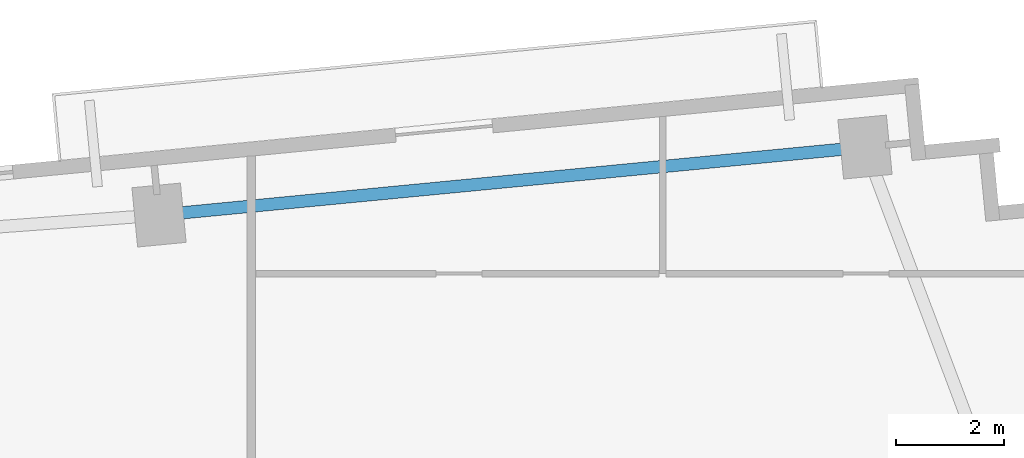
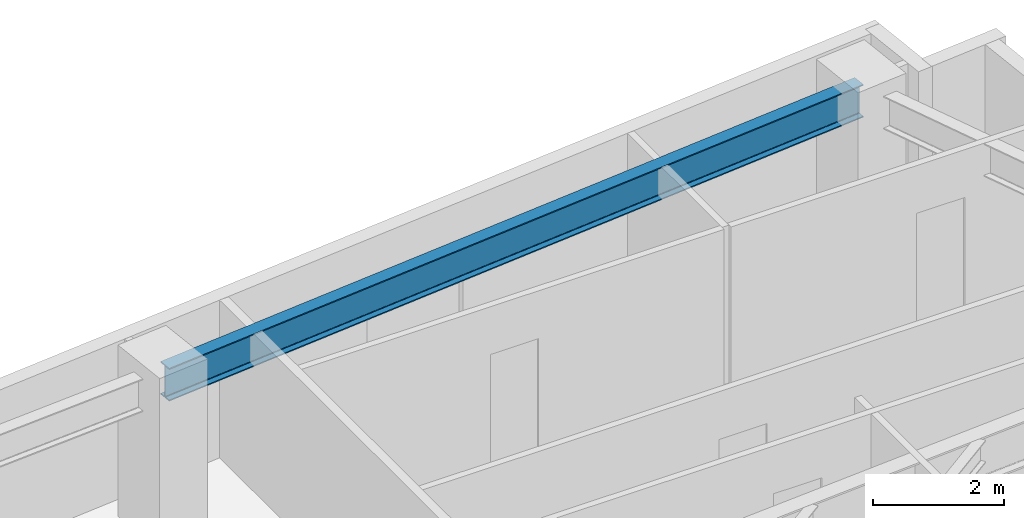
# One storey, part 18 of 27: 1 beam.
"""IFC4 building model written with IfcOpenShell, lengths in metres."""

from ifc_helpers import new_model, si_unit, direction, frame, origin, origin_2d, place, context, subcontext, project, spatial, i_section, extrude, source, transform, mapped, material, material_profile, profile_set, type_object, type_shapes, element, save


model = new_model("IFC4")

# Units and contexts
model_context = context("Model", 3, precision=1e-05, world=origin(), true_north=direction((0.0, 1.0)))
body_context = subcontext(model_context, "Body", "Model", "MODEL_VIEW")
ifc_project = project(units=[si_unit("LENGTHUNIT", "METRE"), si_unit("AREAUNIT", "SQUARE_METRE"), si_unit("VOLUMEUNIT", "CUBIC_METRE"), si_unit("PLANEANGLEUNIT", "RADIAN"), si_unit("MASSUNIT", "GRAM", prefix="KILO")], contexts=[model_context])

# Site, building, storey
site_placement = place(None, origin())
site = spatial("IfcSite", under=ifc_project, at=site_placement, CompositionType="ELEMENT")
building_placement = place(site_placement, origin())
building = spatial("IfcBuilding", under=site, at=building_placement, Name="Astriad Promenade Condominiums", CompositionType="ELEMENT")
storey_placement = place(building_placement, frame((0.0, 0.0, 90.60009765625)))
storey = spatial("IfcBuildingStorey", under=building, at=storey_placement, Name="L25", CompositionType="ELEMENT", Elevation=90.60009765625)

# Beam
ifc_material = material(Name="Steel ASTM A992 Grade 50", Category="steel")
ifc_material_profile = material_profile(ifc_material, i_section(OverallWidth=0.22900390625, OverallDepth=0.612060546875, WebThickness=0.011962890625, FlangeThickness=0.01953125, FilletRadius=0.017822265625, at=origin_2d()), Name="W24X84")
ifc_profile_set = profile_set([ifc_material_profile], Name="Steel ASTM A992 Grade 50")
beam_type = type_object("IfcBeamType", Name="STEEL SPANDREL BEAM W24X84", PredefinedType="SPANDREL", material=ifc_profile_set)
shared_shape = source(origin(), body_context, "Body", "SweptSolid", [
    extrude(i_section(OverallWidth=0.22900390625, OverallDepth=0.612060546875, WebThickness=0.011962890625, FlangeThickness=0.01953125, FilletRadius=0.017822265625, at=origin_2d()), origin(), (0.0, 0.0, 1.0), 13.020263671875),
])
type_shapes(beam_type, [shared_shape])
beam_placement = place(storey_placement, frame((64.394287109375, 27.5869140625, 2.6337890625), z_axis=(-0.995395311238, -0.095854965264, 0.0), x_axis=(0.095854965264, -0.995395311238, 0.0)))
element("IfcBeam", 1, at=beam_placement, inside=storey, type_object=beam_type, Name="Perimeter Spandrel Beam SP-N4-L25", PredefinedType="SPANDREL", context=body_context, shape_type="MappedRepresentation", body=[
    mapped(shared_shape, transform((0.0, 0.0, 0.0), scale=1.0)),
])

save(model, "model.ifc")
